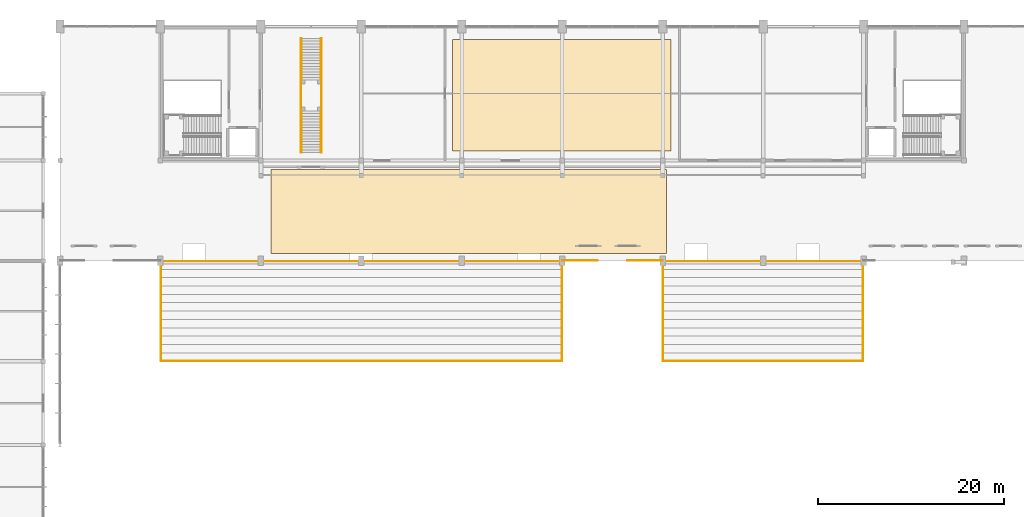
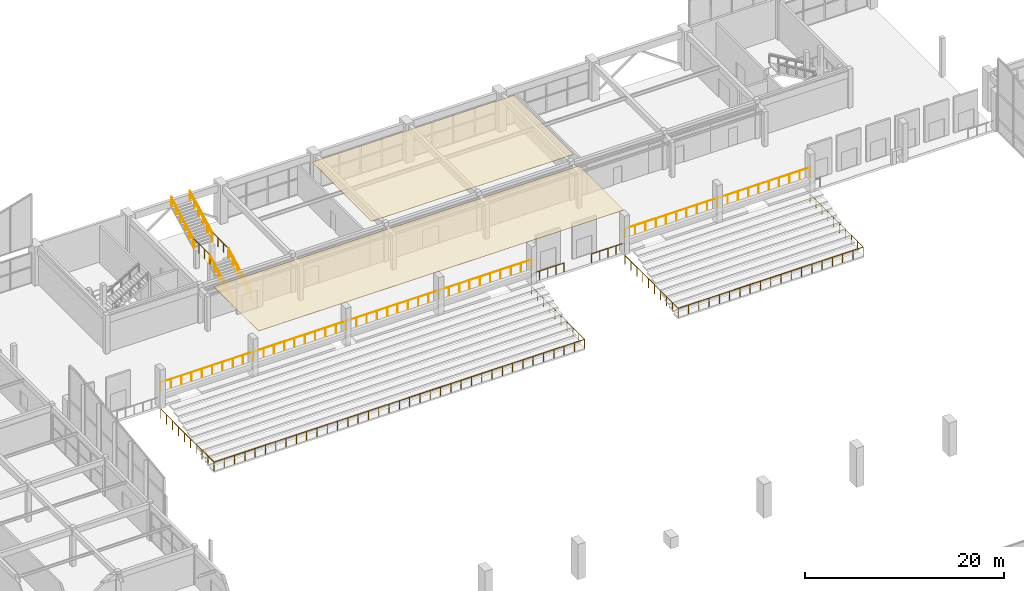
# One storey, part 66 of 74: 16 railings, 2 coverings.
"""IFC4 building model written with IfcOpenShell, lengths in metres."""

from ifc_helpers import new_model, si_unit, direction, frame, origin, origin_2d, place, context, subcontext, project, spatial, polyline, circle, outline, extrude, material, layer, layer_set, type_object, element, save


model = new_model("IFC4")

# Units and contexts
model_context = context("Model", 3, precision=1e-05, world=origin(), true_north=direction((0.0, 1.0)))
body_context = subcontext(model_context, "Body", "Model", "MODEL_VIEW")
ifc_project = project(units=[si_unit("LENGTHUNIT", "METRE"), si_unit("AREAUNIT", "SQUARE_METRE"), si_unit("VOLUMEUNIT", "CUBIC_METRE"), si_unit("PLANEANGLEUNIT", "RADIAN"), si_unit("MASSUNIT", "GRAM", prefix="KILO")], contexts=[model_context])

# Site, building, storey
site_placement = place(None, origin())
site = spatial("IfcSite", under=ifc_project, at=site_placement, CompositionType="ELEMENT")
building_placement = place(site_placement, origin())
building = spatial("IfcBuilding", under=site, at=building_placement, Name="Suirenkawa Promenade Aquatics Centre", CompositionType="ELEMENT")
storey_placement = place(building_placement, frame((0.0, 0.0, 4.800048828125)))
storey = spatial("IfcBuildingStorey", under=building, at=storey_placement, Name="L01", CompositionType="ELEMENT", Elevation=4.800048828125)

# Coverings
ifc_material_1 = material(Name="Anodised aluminium 6063-T6", Category="aluminium")
ifc_layer = layer(ifc_material_1, 0.044921875, Name="Anodised aluminium 6063-T6", Category="aluminium")
ifc_layer_set = layer_set([ifc_layer], Name="Anodised aluminium 6063-T6")
covering_type = type_object("IfcCoveringType", Name="CVT-BAFFLE-CEIL", PredefinedType="CEILING", material=ifc_layer_set)
covering_1_placement = place(storey_placement, frame((0.0, 0.0, 4.5048828125)))
element("IfcCovering", 1, at=covering_1_placement, inside=storey, type_object=covering_type, Name="Acoustic baffle ceiling CLG-01 CLG-003", PredefinedType="CEILING", context=body_context, shape_type="SweptSolid", body=[
    extrude(outline(polyline([(69.5, 98.0), (112.0, 98.0), (112.0, 107.0), (69.5, 107.0), (69.5, 98.0)])), origin(), (0.0, 0.0, 1.0), 0.045166015625),
])
covering_2_placement = place(storey_placement, frame((0.0, 0.0, 4.5048828125)))
element("IfcCovering", 2, at=covering_2_placement, inside=storey, type_object=covering_type, Name="Acoustic baffle ceiling CLG-01 CLG-004", PredefinedType="CEILING", context=body_context, shape_type="SweptSolid", body=[
    extrude(outline(polyline([(89.0, 109.0), (112.5, 109.0), (112.5, 121.0), (89.0, 121.0), (89.0, 109.0)])), origin(), (0.0, 0.0, 1.0), 0.045166015625),
])

# Railings
ifc_material_2 = material(Name="Marine-grade stainless steel Grade 316L", Category="steel")
railing_type_1 = type_object("IfcRailingType", Name="RLT-BALUSTRADE-1120", PredefinedType="BALUSTRADE", material=ifc_material_2)
railing_1_placement = place(storey_placement, frame((57.639892578125, 97.159912109375, -1.5)))
element("IfcRailing", 3, at=railing_1_placement, inside=storey, type_object=railing_type_1, Name="Balustrade BAL-01 RL-0390", PredefinedType="BALUSTRADE", context=body_context, shape_type="SweptSolid", body=[
    extrude(circle(Radius=0.02392578125, at=origin_2d()), frame((0.0, 0.0, 1.09619140625), z_axis=(0.0, -1.0, 0.0), x_axis=(1.0, 0.0, 0.0)), (0.0, 0.0, 1.0), 10.719970703125),
    extrude(circle(Radius=0.02392578125, at=origin_2d()), frame((0.0, -10.719970703125, 1.09619140625), z_axis=(1.0, 0.0, 0.0), x_axis=(0.0, 1.0, 0.0)), (0.0, 0.0, 1.0), 43.1201171875),
    extrude(circle(Radius=0.02392578125, at=origin_2d()), frame((43.1201171875, -10.719970703125, 1.09619140625), z_axis=(0.0, 1.0, 0.0), x_axis=(-1.0, 0.0, 0.0)), (0.0, 0.0, 1.0), 10.719970703125),
    extrude(circle(Radius=0.02099609375, at=origin_2d()), origin(), (0.0, 0.0, 1.0), 1.072021484375),
    extrude(circle(Radius=0.02099609375, at=origin_2d()), frame((0.0, -1.191162109375, 0.0)), (0.0, 0.0, 1.0), 1.072021484375),
    extrude(circle(Radius=0.02099609375, at=origin_2d()), frame((0.0, -2.38232421875, 0.0)), (0.0, 0.0, 1.0), 1.072021484375),
    extrude(circle(Radius=0.02099609375, at=origin_2d()), frame((0.0, -3.5732421875, 0.0)), (0.0, 0.0, 1.0), 1.072021484375),
    extrude(circle(Radius=0.02099609375, at=origin_2d()), frame((0.0, -4.764404296875, 0.0)), (0.0, 0.0, 1.0), 1.072021484375),
    extrude(circle(Radius=0.02099609375, at=origin_2d()), frame((0.0, -5.95556640625, 0.0)), (0.0, 0.0, 1.0), 1.072021484375),
    extrude(circle(Radius=0.02099609375, at=origin_2d()), frame((0.0, -7.146728515625, 0.0)), (0.0, 0.0, 1.0), 1.072021484375),
    extrude(circle(Radius=0.02099609375, at=origin_2d()), frame((0.0, -8.337646484375, 0.0)), (0.0, 0.0, 1.0), 1.072021484375),
    extrude(circle(Radius=0.02099609375, at=origin_2d()), frame((0.0, -9.52880859375, 0.0)), (0.0, 0.0, 1.0), 1.072021484375),
    extrude(circle(Radius=0.02099609375, at=origin_2d()), frame((0.0, -10.719970703125, 0.0)), (0.0, 0.0, 1.0), 1.072021484375),
    extrude(circle(Radius=0.02099609375, at=origin_2d()), frame((1.19775390625, -10.719970703125, 0.0)), (0.0, 0.0, 1.0), 1.072021484375),
    extrude(circle(Radius=0.02099609375, at=origin_2d()), frame((2.3955078125, -10.719970703125, 0.0)), (0.0, 0.0, 1.0), 1.072021484375),
    extrude(circle(Radius=0.02099609375, at=origin_2d()), frame((3.59326171875, -10.719970703125, 0.0)), (0.0, 0.0, 1.0), 1.072021484375),
    extrude(circle(Radius=0.02099609375, at=origin_2d()), frame((4.791015625, -10.719970703125, 0.0)), (0.0, 0.0, 1.0), 1.072021484375),
    extrude(circle(Radius=0.02099609375, at=origin_2d()), frame((5.989013671875, -10.719970703125, 0.0)), (0.0, 0.0, 1.0), 1.072021484375),
    extrude(circle(Radius=0.02099609375, at=origin_2d()), frame((7.186767578125, -10.719970703125, 0.0)), (0.0, 0.0, 1.0), 1.072021484375),
    extrude(circle(Radius=0.02099609375, at=origin_2d()), frame((8.384521484375, -10.719970703125, 0.0)), (0.0, 0.0, 1.0), 1.072021484375),
    extrude(circle(Radius=0.02099609375, at=origin_2d()), frame((9.582275390625, -10.719970703125, 0.0)), (0.0, 0.0, 1.0), 1.072021484375),
    extrude(circle(Radius=0.02099609375, at=origin_2d()), frame((10.780029296875, -10.719970703125, 0.0)), (0.0, 0.0, 1.0), 1.072021484375),
    extrude(circle(Radius=0.02099609375, at=origin_2d()), frame((11.977783203125, -10.719970703125, 0.0)), (0.0, 0.0, 1.0), 1.072021484375),
    extrude(circle(Radius=0.02099609375, at=origin_2d()), frame((13.175537109375, -10.719970703125, 0.0)), (0.0, 0.0, 1.0), 1.072021484375),
    extrude(circle(Radius=0.02099609375, at=origin_2d()), frame((14.373291015625, -10.719970703125, 0.0)), (0.0, 0.0, 1.0), 1.072021484375),
    extrude(circle(Radius=0.02099609375, at=origin_2d()), frame((15.571044921875, -10.719970703125, 0.0)), (0.0, 0.0, 1.0), 1.072021484375),
    extrude(circle(Radius=0.02099609375, at=origin_2d()), frame((16.76904296875, -10.719970703125, 0.0)), (0.0, 0.0, 1.0), 1.072021484375),
    extrude(circle(Radius=0.02099609375, at=origin_2d()), frame((17.966796875, -10.719970703125, 0.0)), (0.0, 0.0, 1.0), 1.072021484375),
    extrude(circle(Radius=0.02099609375, at=origin_2d()), frame((19.16455078125, -10.719970703125, 0.0)), (0.0, 0.0, 1.0), 1.072021484375),
    extrude(circle(Radius=0.02099609375, at=origin_2d()), frame((20.3623046875, -10.719970703125, 0.0)), (0.0, 0.0, 1.0), 1.072021484375),
    extrude(circle(Radius=0.02099609375, at=origin_2d()), frame((21.56005859375, -10.719970703125, 0.0)), (0.0, 0.0, 1.0), 1.072021484375),
    extrude(circle(Radius=0.02099609375, at=origin_2d()), frame((22.7578125, -10.719970703125, 0.0)), (0.0, 0.0, 1.0), 1.072021484375),
    extrude(circle(Radius=0.02099609375, at=origin_2d()), frame((23.95556640625, -10.719970703125, 0.0)), (0.0, 0.0, 1.0), 1.072021484375),
    extrude(circle(Radius=0.02099609375, at=origin_2d()), frame((25.1533203125, -10.719970703125, 0.0)), (0.0, 0.0, 1.0), 1.072021484375),
    extrude(circle(Radius=0.02099609375, at=origin_2d()), frame((26.35107421875, -10.719970703125, 0.0)), (0.0, 0.0, 1.0), 1.072021484375),
    extrude(circle(Radius=0.02099609375, at=origin_2d()), frame((27.549072265625, -10.719970703125, 0.0)), (0.0, 0.0, 1.0), 1.072021484375),
    extrude(circle(Radius=0.02099609375, at=origin_2d()), frame((28.746826171875, -10.719970703125, 0.0)), (0.0, 0.0, 1.0), 1.072021484375),
    extrude(circle(Radius=0.02099609375, at=origin_2d()), frame((29.944580078125, -10.719970703125, 0.0)), (0.0, 0.0, 1.0), 1.072021484375),
    extrude(circle(Radius=0.02099609375, at=origin_2d()), frame((31.142333984375, -10.719970703125, 0.0)), (0.0, 0.0, 1.0), 1.072021484375),
    extrude(circle(Radius=0.02099609375, at=origin_2d()), frame((32.340087890625, -10.719970703125, 0.0)), (0.0, 0.0, 1.0), 1.072021484375),
    extrude(circle(Radius=0.02099609375, at=origin_2d()), frame((33.537841796875, -10.719970703125, 0.0)), (0.0, 0.0, 1.0), 1.072021484375),
    extrude(circle(Radius=0.02099609375, at=origin_2d()), frame((34.735595703125, -10.719970703125, 0.0)), (0.0, 0.0, 1.0), 1.072021484375),
    extrude(circle(Radius=0.02099609375, at=origin_2d()), frame((35.933349609375, -10.719970703125, 0.0)), (0.0, 0.0, 1.0), 1.072021484375),
    extrude(circle(Radius=0.02099609375, at=origin_2d()), frame((37.131103515625, -10.719970703125, 0.0)), (0.0, 0.0, 1.0), 1.072021484375),
    extrude(circle(Radius=0.02099609375, at=origin_2d()), frame((38.3291015625, -10.719970703125, 0.0)), (0.0, 0.0, 1.0), 1.072021484375),
    extrude(circle(Radius=0.02099609375, at=origin_2d()), frame((39.52685546875, -10.719970703125, 0.0)), (0.0, 0.0, 1.0), 1.072021484375),
    extrude(circle(Radius=0.02099609375, at=origin_2d()), frame((40.724609375, -10.719970703125, 0.0)), (0.0, 0.0, 1.0), 1.072021484375),
    extrude(circle(Radius=0.02099609375, at=origin_2d()), frame((41.92236328125, -10.719970703125, 0.0)), (0.0, 0.0, 1.0), 1.072021484375),
    extrude(circle(Radius=0.02099609375, at=origin_2d()), frame((43.1201171875, -10.719970703125, 0.0)), (0.0, 0.0, 1.0), 1.072021484375),
    extrude(circle(Radius=0.02099609375, at=origin_2d()), frame((43.1201171875, -9.52880859375, 0.0)), (0.0, 0.0, 1.0), 1.072021484375),
    extrude(circle(Radius=0.02099609375, at=origin_2d()), frame((43.1201171875, -8.337646484375, 0.0)), (0.0, 0.0, 1.0), 1.072021484375),
    extrude(circle(Radius=0.02099609375, at=origin_2d()), frame((43.1201171875, -7.146728515625, 0.0)), (0.0, 0.0, 1.0), 1.072021484375),
    extrude(circle(Radius=0.02099609375, at=origin_2d()), frame((43.1201171875, -5.95556640625, 0.0)), (0.0, 0.0, 1.0), 1.072021484375),
    extrude(circle(Radius=0.02099609375, at=origin_2d()), frame((43.1201171875, -4.764404296875, 0.0)), (0.0, 0.0, 1.0), 1.072021484375),
    extrude(circle(Radius=0.02099609375, at=origin_2d()), frame((43.1201171875, -3.5732421875, 0.0)), (0.0, 0.0, 1.0), 1.072021484375),
    extrude(circle(Radius=0.02099609375, at=origin_2d()), frame((43.1201171875, -2.38232421875, 0.0)), (0.0, 0.0, 1.0), 1.072021484375),
    extrude(circle(Radius=0.02099609375, at=origin_2d()), frame((43.1201171875, -1.191162109375, 0.0)), (0.0, 0.0, 1.0), 1.072021484375),
    extrude(circle(Radius=0.02099609375, at=origin_2d()), frame((43.1201171875, 0.0, 0.0)), (0.0, 0.0, 1.0), 1.072021484375),
])
railing_2_placement = place(storey_placement, frame((111.639892578125, 97.159912109375, -1.5)))
element("IfcRailing", 4, at=railing_2_placement, inside=storey, type_object=railing_type_1, Name="Balustrade BAL-01 RL-0392", PredefinedType="BALUSTRADE", context=body_context, shape_type="SweptSolid", body=[
    extrude(circle(Radius=0.02392578125, at=origin_2d()), frame((0.0, 0.0, 1.09619140625), z_axis=(0.0, -1.0, 0.0), x_axis=(1.0, 0.0, 0.0)), (0.0, 0.0, 1.0), 10.719970703125),
    extrude(circle(Radius=0.02392578125, at=origin_2d()), frame((0.0, -10.719970703125, 1.09619140625), z_axis=(1.0, 0.0, 0.0), x_axis=(0.0, 1.0, 0.0)), (0.0, 0.0, 1.0), 21.52001953125),
    extrude(circle(Radius=0.02392578125, at=origin_2d()), frame((21.52001953125, -10.719970703125, 1.09619140625), z_axis=(0.0, 1.0, 0.0), x_axis=(-1.0, 0.0, 0.0)), (0.0, 0.0, 1.0), 10.719970703125),
    extrude(circle(Radius=0.02099609375, at=origin_2d()), origin(), (0.0, 0.0, 1.0), 1.072021484375),
    extrude(circle(Radius=0.02099609375, at=origin_2d()), frame((0.0, -1.191162109375, 0.0)), (0.0, 0.0, 1.0), 1.072021484375),
    extrude(circle(Radius=0.02099609375, at=origin_2d()), frame((0.0, -2.38232421875, 0.0)), (0.0, 0.0, 1.0), 1.072021484375),
    extrude(circle(Radius=0.02099609375, at=origin_2d()), frame((0.0, -3.5732421875, 0.0)), (0.0, 0.0, 1.0), 1.072021484375),
    extrude(circle(Radius=0.02099609375, at=origin_2d()), frame((0.0, -4.764404296875, 0.0)), (0.0, 0.0, 1.0), 1.072021484375),
    extrude(circle(Radius=0.02099609375, at=origin_2d()), frame((0.0, -5.95556640625, 0.0)), (0.0, 0.0, 1.0), 1.072021484375),
    extrude(circle(Radius=0.02099609375, at=origin_2d()), frame((0.0, -7.146728515625, 0.0)), (0.0, 0.0, 1.0), 1.072021484375),
    extrude(circle(Radius=0.02099609375, at=origin_2d()), frame((0.0, -8.337646484375, 0.0)), (0.0, 0.0, 1.0), 1.072021484375),
    extrude(circle(Radius=0.02099609375, at=origin_2d()), frame((0.0, -9.52880859375, 0.0)), (0.0, 0.0, 1.0), 1.072021484375),
    extrude(circle(Radius=0.02099609375, at=origin_2d()), frame((0.0, -10.719970703125, 0.0)), (0.0, 0.0, 1.0), 1.072021484375),
    extrude(circle(Radius=0.02099609375, at=origin_2d()), frame((1.195556640625, -10.719970703125, 0.0)), (0.0, 0.0, 1.0), 1.072021484375),
    extrude(circle(Radius=0.02099609375, at=origin_2d()), frame((2.39111328125, -10.719970703125, 0.0)), (0.0, 0.0, 1.0), 1.072021484375),
    extrude(circle(Radius=0.02099609375, at=origin_2d()), frame((3.586669921875, -10.719970703125, 0.0)), (0.0, 0.0, 1.0), 1.072021484375),
    extrude(circle(Radius=0.02099609375, at=origin_2d()), frame((4.7822265625, -10.719970703125, 0.0)), (0.0, 0.0, 1.0), 1.072021484375),
    extrude(circle(Radius=0.02099609375, at=origin_2d()), frame((5.977783203125, -10.719970703125, 0.0)), (0.0, 0.0, 1.0), 1.072021484375),
    extrude(circle(Radius=0.02099609375, at=origin_2d()), frame((7.17333984375, -10.719970703125, 0.0)), (0.0, 0.0, 1.0), 1.072021484375),
    extrude(circle(Radius=0.02099609375, at=origin_2d()), frame((8.368896484375, -10.719970703125, 0.0)), (0.0, 0.0, 1.0), 1.072021484375),
    extrude(circle(Radius=0.02099609375, at=origin_2d()), frame((9.564453125, -10.719970703125, 0.0)), (0.0, 0.0, 1.0), 1.072021484375),
    extrude(circle(Radius=0.02099609375, at=origin_2d()), frame((10.760009765625, -10.719970703125, 0.0)), (0.0, 0.0, 1.0), 1.072021484375),
    extrude(circle(Radius=0.02099609375, at=origin_2d()), frame((11.95556640625, -10.719970703125, 0.0)), (0.0, 0.0, 1.0), 1.072021484375),
    extrude(circle(Radius=0.02099609375, at=origin_2d()), frame((13.151123046875, -10.719970703125, 0.0)), (0.0, 0.0, 1.0), 1.072021484375),
    extrude(circle(Radius=0.02099609375, at=origin_2d()), frame((14.3466796875, -10.719970703125, 0.0)), (0.0, 0.0, 1.0), 1.072021484375),
    extrude(circle(Radius=0.02099609375, at=origin_2d()), frame((15.542236328125, -10.719970703125, 0.0)), (0.0, 0.0, 1.0), 1.072021484375),
    extrude(circle(Radius=0.02099609375, at=origin_2d()), frame((16.73779296875, -10.719970703125, 0.0)), (0.0, 0.0, 1.0), 1.072021484375),
    extrude(circle(Radius=0.02099609375, at=origin_2d()), frame((17.933349609375, -10.719970703125, 0.0)), (0.0, 0.0, 1.0), 1.072021484375),
    extrude(circle(Radius=0.02099609375, at=origin_2d()), frame((19.12890625, -10.719970703125, 0.0)), (0.0, 0.0, 1.0), 1.072021484375),
    extrude(circle(Radius=0.02099609375, at=origin_2d()), frame((20.324462890625, -10.719970703125, 0.0)), (0.0, 0.0, 1.0), 1.072021484375),
    extrude(circle(Radius=0.02099609375, at=origin_2d()), frame((21.52001953125, -10.719970703125, 0.0)), (0.0, 0.0, 1.0), 1.072021484375),
    extrude(circle(Radius=0.02099609375, at=origin_2d()), frame((21.52001953125, -9.52880859375, 0.0)), (0.0, 0.0, 1.0), 1.072021484375),
    extrude(circle(Radius=0.02099609375, at=origin_2d()), frame((21.52001953125, -8.337646484375, 0.0)), (0.0, 0.0, 1.0), 1.072021484375),
    extrude(circle(Radius=0.02099609375, at=origin_2d()), frame((21.52001953125, -7.146728515625, 0.0)), (0.0, 0.0, 1.0), 1.072021484375),
    extrude(circle(Radius=0.02099609375, at=origin_2d()), frame((21.52001953125, -5.95556640625, 0.0)), (0.0, 0.0, 1.0), 1.072021484375),
    extrude(circle(Radius=0.02099609375, at=origin_2d()), frame((21.52001953125, -4.764404296875, 0.0)), (0.0, 0.0, 1.0), 1.072021484375),
    extrude(circle(Radius=0.02099609375, at=origin_2d()), frame((21.52001953125, -3.5732421875, 0.0)), (0.0, 0.0, 1.0), 1.072021484375),
    extrude(circle(Radius=0.02099609375, at=origin_2d()), frame((21.52001953125, -2.38232421875, 0.0)), (0.0, 0.0, 1.0), 1.072021484375),
    extrude(circle(Radius=0.02099609375, at=origin_2d()), frame((21.52001953125, -1.191162109375, 0.0)), (0.0, 0.0, 1.0), 1.072021484375),
    extrude(circle(Radius=0.02099609375, at=origin_2d()), frame((21.52001953125, 0.0, 0.0)), (0.0, 0.0, 1.0), 1.072021484375),
])
for number, where, name in (
    (5, (100.800048828125, 97.239990234375, 0.0), "Balustrade BAL-01 RL-0396"),
    (6, (107.800048828125, 97.239990234375, 0.0), "Balustrade BAL-01 RL-0397"),
):
    element("IfcRailing", number, at=place(storey_placement, frame(where)), inside=storey, type_object=railing_type_1, Name=name, PredefinedType="BALUSTRADE", context=body_context, shape_type="SweptSolid", body=[
        extrude(circle(Radius=0.02392578125, at=origin_2d()), frame((0.0, 0.0, 1.09619140625), z_axis=(1.0, 0.0, 0.0), x_axis=(0.0, 1.0, 0.0)), (0.0, 0.0, 1.0), 3.800048828125),
        extrude(circle(Radius=0.02099609375, at=origin_2d()), origin(), (0.0, 0.0, 1.0), 1.072021484375),
        extrude(circle(Radius=0.02099609375, at=origin_2d()), frame((0.949951171875, 0.0, 0.0)), (0.0, 0.0, 1.0), 1.072021484375),
        extrude(circle(Radius=0.02099609375, at=origin_2d()), frame((1.89990234375, 0.0, 0.0)), (0.0, 0.0, 1.0), 1.072021484375),
        extrude(circle(Radius=0.02099609375, at=origin_2d()), frame((2.85009765625, 0.0, 0.0)), (0.0, 0.0, 1.0), 1.072021484375),
        extrude(circle(Radius=0.02099609375, at=origin_2d()), frame((3.800048828125, 0.0, 0.0)), (0.0, 0.0, 1.0), 1.072021484375),
    ])
railing_type_2 = type_object("IfcRailingType", Name="RLT-GUARD-1120", PredefinedType="GUARDRAIL", material=ifc_material_2)
for number, where, name in (
    (7, (72.705078125, 108.830078125, 0.0), "Guardrail GRD-01 RL-0361"),
    (8, (74.89501953125, 108.830078125, 0.0), "Guardrail GRD-01 RL-0363"),
):
    element("IfcRailing", number, at=place(storey_placement, frame(where)), inside=storey, type_object=railing_type_2, Name=name, PredefinedType="GUARDRAIL", context=body_context, shape_type="SweptSolid", body=[
        extrude(circle(Radius=0.02392578125, at=origin_2d()), frame((0.0, 0.0, 1.09619140625), z_axis=(0.0, 0.882360891967, 0.470573327259), x_axis=(-1.0, 0.0, 0.0)), (0.0, 0.0, 1.0), 5.099853515625),
        extrude(circle(Radius=0.02099609375, at=origin_2d()), origin(), (0.0, 0.0, 1.0), 1.072021484375),
        extrude(circle(Radius=0.02099609375, at=origin_2d()), frame((0.0, 0.89990234375, 0.47998046875)), (0.0, 0.0, 1.0), 1.072021484375),
        extrude(circle(Radius=0.02099609375, at=origin_2d()), frame((0.0, 1.800048828125, 0.9599609375)), (0.0, 0.0, 1.0), 1.072021484375),
        extrude(circle(Radius=0.02099609375, at=origin_2d()), frame((0.0, 2.699951171875, 1.43994140625)), (0.0, 0.0, 1.0), 1.072021484375),
        extrude(circle(Radius=0.02099609375, at=origin_2d()), frame((0.0, 3.60009765625, 1.919921875)), (0.0, 0.0, 1.0), 1.072021484375),
        extrude(circle(Radius=0.02099609375, at=origin_2d()), frame((0.0, 4.5, 2.39990234375)), (0.0, 0.0, 1.0), 1.072021484375),
    ])
for number, where, name in (
    (9, (72.705078125, 116.6201171875, 2.39990234375), "Guardrail GRD-01 RL-0365"),
    (10, (74.89501953125, 116.6201171875, 2.39990234375), "Guardrail GRD-01 RL-0367"),
):
    element("IfcRailing", number, at=place(storey_placement, frame(where)), inside=storey, type_object=railing_type_2, Name=name, PredefinedType="GUARDRAIL", context=body_context, shape_type="SweptSolid", body=[
        extrude(circle(Radius=0.02392578125, at=origin_2d()), frame((0.0, 0.0, 1.09619140625), z_axis=(0.0, 0.882341014787, 0.470610596591), x_axis=(-1.0, 0.0, 0.0)), (0.0, 0.0, 1.0), 5.10009765625),
        extrude(circle(Radius=0.02099609375, at=origin_2d()), origin(), (0.0, 0.0, 1.0), 1.072021484375),
        extrude(circle(Radius=0.02099609375, at=origin_2d()), frame((0.0, 0.89990234375, 0.47998046875)), (0.0, 0.0, 1.0), 1.072021484375),
        extrude(circle(Radius=0.02099609375, at=origin_2d()), frame((0.0, 1.800048828125, 0.9599609375)), (0.0, 0.0, 1.0), 1.072021484375),
        extrude(circle(Radius=0.02099609375, at=origin_2d()), frame((0.0, 2.699951171875, 1.440185546875)), (0.0, 0.0, 1.0), 1.072021484375),
        extrude(circle(Radius=0.02099609375, at=origin_2d()), frame((0.0, 3.60009765625, 1.920166015625)), (0.0, 0.0, 1.0), 1.072021484375),
        extrude(circle(Radius=0.02099609375, at=origin_2d()), frame((0.0, 4.5, 2.400146484375)), (0.0, 0.0, 1.0), 1.072021484375),
    ])
for number, where, name in (
    (11, (72.705078125, 113.304931640625, 2.39990234375), "Guardrail GRD-01 RL-0369"),
    (12, (74.89501953125, 113.304931640625, 2.39990234375), "Guardrail GRD-01 RL-0370"),
):
    element("IfcRailing", number, at=place(storey_placement, frame(where)), inside=storey, type_object=railing_type_2, Name=name, PredefinedType="GUARDRAIL", context=body_context, shape_type="SweptSolid", body=[
        extrude(circle(Radius=0.02392578125, at=origin_2d()), frame((0.0, 0.0, 1.09619140625), z_axis=(0.0, 1.0, 0.0), x_axis=(-1.0, 0.0, 0.0)), (0.0, 0.0, 1.0), 3.340087890625),
        extrude(circle(Radius=0.02099609375, at=origin_2d()), origin(), (0.0, 0.0, 1.0), 1.072021484375),
        extrude(circle(Radius=0.02099609375, at=origin_2d()), frame((0.0, 1.11328125, 0.0)), (0.0, 0.0, 1.0), 1.072021484375),
        extrude(circle(Radius=0.02099609375, at=origin_2d()), frame((0.0, 2.226806640625, 0.0)), (0.0, 0.0, 1.0), 1.072021484375),
        extrude(circle(Radius=0.02099609375, at=origin_2d()), frame((0.0, 3.340087890625, 0.0)), (0.0, 0.0, 1.0), 1.072021484375),
    ])
railing_3_placement = place(storey_placement, frame((57.639892578125, 97.159912109375, 1.800048828125)))
element("IfcRailing", 13, at=railing_3_placement, inside=storey, type_object=railing_type_2, Name="Guardrail GRD-01 RL-0391", PredefinedType="GUARDRAIL", context=body_context, shape_type="SweptSolid", body=[
    extrude(circle(Radius=0.02392578125, at=origin_2d()), frame((0.0, 0.0, 1.09619140625), z_axis=(1.0, 0.0, 0.0), x_axis=(0.0, 1.0, 0.0)), (0.0, 0.0, 1.0), 43.1201171875),
    extrude(circle(Radius=0.02099609375, at=origin_2d()), origin(), (0.0, 0.0, 1.0), 1.072021484375),
    extrude(circle(Radius=0.02099609375, at=origin_2d()), frame((1.19775390625, 0.0, 0.0)), (0.0, 0.0, 1.0), 1.072021484375),
    extrude(circle(Radius=0.02099609375, at=origin_2d()), frame((2.3955078125, 0.0, 0.0)), (0.0, 0.0, 1.0), 1.072021484375),
    extrude(circle(Radius=0.02099609375, at=origin_2d()), frame((3.59326171875, 0.0, 0.0)), (0.0, 0.0, 1.0), 1.072021484375),
    extrude(circle(Radius=0.02099609375, at=origin_2d()), frame((4.791015625, 0.0, 0.0)), (0.0, 0.0, 1.0), 1.072021484375),
    extrude(circle(Radius=0.02099609375, at=origin_2d()), frame((5.989013671875, 0.0, 0.0)), (0.0, 0.0, 1.0), 1.072021484375),
    extrude(circle(Radius=0.02099609375, at=origin_2d()), frame((7.186767578125, 0.0, 0.0)), (0.0, 0.0, 1.0), 1.072021484375),
    extrude(circle(Radius=0.02099609375, at=origin_2d()), frame((8.384521484375, 0.0, 0.0)), (0.0, 0.0, 1.0), 1.072021484375),
    extrude(circle(Radius=0.02099609375, at=origin_2d()), frame((9.582275390625, 0.0, 0.0)), (0.0, 0.0, 1.0), 1.072021484375),
    extrude(circle(Radius=0.02099609375, at=origin_2d()), frame((10.780029296875, 0.0, 0.0)), (0.0, 0.0, 1.0), 1.072021484375),
    extrude(circle(Radius=0.02099609375, at=origin_2d()), frame((11.977783203125, 0.0, 0.0)), (0.0, 0.0, 1.0), 1.072021484375),
    extrude(circle(Radius=0.02099609375, at=origin_2d()), frame((13.175537109375, 0.0, 0.0)), (0.0, 0.0, 1.0), 1.072021484375),
    extrude(circle(Radius=0.02099609375, at=origin_2d()), frame((14.373291015625, 0.0, 0.0)), (0.0, 0.0, 1.0), 1.072021484375),
    extrude(circle(Radius=0.02099609375, at=origin_2d()), frame((15.571044921875, 0.0, 0.0)), (0.0, 0.0, 1.0), 1.072021484375),
    extrude(circle(Radius=0.02099609375, at=origin_2d()), frame((16.76904296875, 0.0, 0.0)), (0.0, 0.0, 1.0), 1.072021484375),
    extrude(circle(Radius=0.02099609375, at=origin_2d()), frame((17.966796875, 0.0, 0.0)), (0.0, 0.0, 1.0), 1.072021484375),
    extrude(circle(Radius=0.02099609375, at=origin_2d()), frame((19.16455078125, 0.0, 0.0)), (0.0, 0.0, 1.0), 1.072021484375),
    extrude(circle(Radius=0.02099609375, at=origin_2d()), frame((20.3623046875, 0.0, 0.0)), (0.0, 0.0, 1.0), 1.072021484375),
    extrude(circle(Radius=0.02099609375, at=origin_2d()), frame((21.56005859375, 0.0, 0.0)), (0.0, 0.0, 1.0), 1.072021484375),
    extrude(circle(Radius=0.02099609375, at=origin_2d()), frame((22.7578125, 0.0, 0.0)), (0.0, 0.0, 1.0), 1.072021484375),
    extrude(circle(Radius=0.02099609375, at=origin_2d()), frame((23.95556640625, 0.0, 0.0)), (0.0, 0.0, 1.0), 1.072021484375),
    extrude(circle(Radius=0.02099609375, at=origin_2d()), frame((25.1533203125, 0.0, 0.0)), (0.0, 0.0, 1.0), 1.072021484375),
    extrude(circle(Radius=0.02099609375, at=origin_2d()), frame((26.35107421875, 0.0, 0.0)), (0.0, 0.0, 1.0), 1.072021484375),
    extrude(circle(Radius=0.02099609375, at=origin_2d()), frame((27.549072265625, 0.0, 0.0)), (0.0, 0.0, 1.0), 1.072021484375),
    extrude(circle(Radius=0.02099609375, at=origin_2d()), frame((28.746826171875, 0.0, 0.0)), (0.0, 0.0, 1.0), 1.072021484375),
    extrude(circle(Radius=0.02099609375, at=origin_2d()), frame((29.944580078125, 0.0, 0.0)), (0.0, 0.0, 1.0), 1.072021484375),
    extrude(circle(Radius=0.02099609375, at=origin_2d()), frame((31.142333984375, 0.0, 0.0)), (0.0, 0.0, 1.0), 1.072021484375),
    extrude(circle(Radius=0.02099609375, at=origin_2d()), frame((32.340087890625, 0.0, 0.0)), (0.0, 0.0, 1.0), 1.072021484375),
    extrude(circle(Radius=0.02099609375, at=origin_2d()), frame((33.537841796875, 0.0, 0.0)), (0.0, 0.0, 1.0), 1.072021484375),
    extrude(circle(Radius=0.02099609375, at=origin_2d()), frame((34.735595703125, 0.0, 0.0)), (0.0, 0.0, 1.0), 1.072021484375),
    extrude(circle(Radius=0.02099609375, at=origin_2d()), frame((35.933349609375, 0.0, 0.0)), (0.0, 0.0, 1.0), 1.072021484375),
    extrude(circle(Radius=0.02099609375, at=origin_2d()), frame((37.131103515625, 0.0, 0.0)), (0.0, 0.0, 1.0), 1.072021484375),
    extrude(circle(Radius=0.02099609375, at=origin_2d()), frame((38.3291015625, 0.0, 0.0)), (0.0, 0.0, 1.0), 1.072021484375),
    extrude(circle(Radius=0.02099609375, at=origin_2d()), frame((39.52685546875, 0.0, 0.0)), (0.0, 0.0, 1.0), 1.072021484375),
    extrude(circle(Radius=0.02099609375, at=origin_2d()), frame((40.724609375, 0.0, 0.0)), (0.0, 0.0, 1.0), 1.072021484375),
    extrude(circle(Radius=0.02099609375, at=origin_2d()), frame((41.92236328125, 0.0, 0.0)), (0.0, 0.0, 1.0), 1.072021484375),
    extrude(circle(Radius=0.02099609375, at=origin_2d()), frame((43.1201171875, 0.0, 0.0)), (0.0, 0.0, 1.0), 1.072021484375),
])
railing_4_placement = place(storey_placement, frame((111.639892578125, 97.159912109375, 1.800048828125)))
element("IfcRailing", 14, at=railing_4_placement, inside=storey, type_object=railing_type_2, Name="Guardrail GRD-01 RL-0393", PredefinedType="GUARDRAIL", context=body_context, shape_type="SweptSolid", body=[
    extrude(circle(Radius=0.02392578125, at=origin_2d()), frame((0.0, 0.0, 1.09619140625), z_axis=(1.0, 0.0, 0.0), x_axis=(0.0, 1.0, 0.0)), (0.0, 0.0, 1.0), 21.52001953125),
    extrude(circle(Radius=0.02099609375, at=origin_2d()), origin(), (0.0, 0.0, 1.0), 1.072021484375),
    extrude(circle(Radius=0.02099609375, at=origin_2d()), frame((1.195556640625, 0.0, 0.0)), (0.0, 0.0, 1.0), 1.072021484375),
    extrude(circle(Radius=0.02099609375, at=origin_2d()), frame((2.39111328125, 0.0, 0.0)), (0.0, 0.0, 1.0), 1.072021484375),
    extrude(circle(Radius=0.02099609375, at=origin_2d()), frame((3.586669921875, 0.0, 0.0)), (0.0, 0.0, 1.0), 1.072021484375),
    extrude(circle(Radius=0.02099609375, at=origin_2d()), frame((4.7822265625, 0.0, 0.0)), (0.0, 0.0, 1.0), 1.072021484375),
    extrude(circle(Radius=0.02099609375, at=origin_2d()), frame((5.977783203125, 0.0, 0.0)), (0.0, 0.0, 1.0), 1.072021484375),
    extrude(circle(Radius=0.02099609375, at=origin_2d()), frame((7.17333984375, 0.0, 0.0)), (0.0, 0.0, 1.0), 1.072021484375),
    extrude(circle(Radius=0.02099609375, at=origin_2d()), frame((8.368896484375, 0.0, 0.0)), (0.0, 0.0, 1.0), 1.072021484375),
    extrude(circle(Radius=0.02099609375, at=origin_2d()), frame((9.564453125, 0.0, 0.0)), (0.0, 0.0, 1.0), 1.072021484375),
    extrude(circle(Radius=0.02099609375, at=origin_2d()), frame((10.760009765625, 0.0, 0.0)), (0.0, 0.0, 1.0), 1.072021484375),
    extrude(circle(Radius=0.02099609375, at=origin_2d()), frame((11.95556640625, 0.0, 0.0)), (0.0, 0.0, 1.0), 1.072021484375),
    extrude(circle(Radius=0.02099609375, at=origin_2d()), frame((13.151123046875, 0.0, 0.0)), (0.0, 0.0, 1.0), 1.072021484375),
    extrude(circle(Radius=0.02099609375, at=origin_2d()), frame((14.3466796875, 0.0, 0.0)), (0.0, 0.0, 1.0), 1.072021484375),
    extrude(circle(Radius=0.02099609375, at=origin_2d()), frame((15.542236328125, 0.0, 0.0)), (0.0, 0.0, 1.0), 1.072021484375),
    extrude(circle(Radius=0.02099609375, at=origin_2d()), frame((16.73779296875, 0.0, 0.0)), (0.0, 0.0, 1.0), 1.072021484375),
    extrude(circle(Radius=0.02099609375, at=origin_2d()), frame((17.933349609375, 0.0, 0.0)), (0.0, 0.0, 1.0), 1.072021484375),
    extrude(circle(Radius=0.02099609375, at=origin_2d()), frame((19.12890625, 0.0, 0.0)), (0.0, 0.0, 1.0), 1.072021484375),
    extrude(circle(Radius=0.02099609375, at=origin_2d()), frame((20.324462890625, 0.0, 0.0)), (0.0, 0.0, 1.0), 1.072021484375),
    extrude(circle(Radius=0.02099609375, at=origin_2d()), frame((21.52001953125, 0.0, 0.0)), (0.0, 0.0, 1.0), 1.072021484375),
])
railing_type_3 = type_object("IfcRailingType", Name="RLT-HANDRAIL-900", PredefinedType="HANDRAIL", material=ifc_material_2)
for number, where, name in (
    (15, (72.7548828125, 108.830078125, 0.0), "Handrail HRL-01 RL-0362"),
    (16, (74.844970703125, 108.830078125, 0.0), "Handrail HRL-01 RL-0364"),
):
    element("IfcRailing", number, at=place(storey_placement, frame(where)), inside=storey, type_object=railing_type_3, Name=name, PredefinedType="HANDRAIL", context=body_context, shape_type="SweptSolid", body=[
        extrude(circle(Radius=0.02392578125, at=origin_2d()), frame((0.0, 0.0, 0.8759765625), z_axis=(0.0, 0.882360891967, 0.470573327259), x_axis=(-1.0, 0.0, 0.0)), (0.0, 0.0, 1.0), 5.099853515625),
        extrude(circle(Radius=0.02099609375, at=origin_2d()), origin(), (0.0, 0.0, 1.0), 0.851806640625),
        extrude(circle(Radius=0.02099609375, at=origin_2d()), frame((0.0, 0.89990234375, 0.47998046875)), (0.0, 0.0, 1.0), 0.851806640625),
        extrude(circle(Radius=0.02099609375, at=origin_2d()), frame((0.0, 1.800048828125, 0.9599609375)), (0.0, 0.0, 1.0), 0.851806640625),
        extrude(circle(Radius=0.02099609375, at=origin_2d()), frame((0.0, 2.699951171875, 1.43994140625)), (0.0, 0.0, 1.0), 0.851806640625),
        extrude(circle(Radius=0.02099609375, at=origin_2d()), frame((0.0, 3.60009765625, 1.919921875)), (0.0, 0.0, 1.0), 0.851806640625),
        extrude(circle(Radius=0.02099609375, at=origin_2d()), frame((0.0, 4.5, 2.39990234375)), (0.0, 0.0, 1.0), 0.851806640625),
    ])
for number, where, name in (
    (17, (72.7548828125, 116.6201171875, 2.39990234375), "Handrail HRL-01 RL-0366"),
    (18, (74.844970703125, 116.6201171875, 2.39990234375), "Handrail HRL-01 RL-0368"),
):
    element("IfcRailing", number, at=place(storey_placement, frame(where)), inside=storey, type_object=railing_type_3, Name=name, PredefinedType="HANDRAIL", context=body_context, shape_type="SweptSolid", body=[
        extrude(circle(Radius=0.02392578125, at=origin_2d()), frame((0.0, 0.0, 0.8759765625), z_axis=(0.0, 0.882341014787, 0.470610596591), x_axis=(-1.0, 0.0, 0.0)), (0.0, 0.0, 1.0), 5.10009765625),
        extrude(circle(Radius=0.02099609375, at=origin_2d()), origin(), (0.0, 0.0, 1.0), 0.851806640625),
        extrude(circle(Radius=0.02099609375, at=origin_2d()), frame((0.0, 0.89990234375, 0.47998046875)), (0.0, 0.0, 1.0), 0.851806640625),
        extrude(circle(Radius=0.02099609375, at=origin_2d()), frame((0.0, 1.800048828125, 0.9599609375)), (0.0, 0.0, 1.0), 0.851806640625),
        extrude(circle(Radius=0.02099609375, at=origin_2d()), frame((0.0, 2.699951171875, 1.440185546875)), (0.0, 0.0, 1.0), 0.851806640625),
        extrude(circle(Radius=0.02099609375, at=origin_2d()), frame((0.0, 3.60009765625, 1.920166015625)), (0.0, 0.0, 1.0), 0.851806640625),
        extrude(circle(Radius=0.02099609375, at=origin_2d()), frame((0.0, 4.5, 2.400146484375)), (0.0, 0.0, 1.0), 0.851806640625),
    ])

save(model, "model.ifc")
